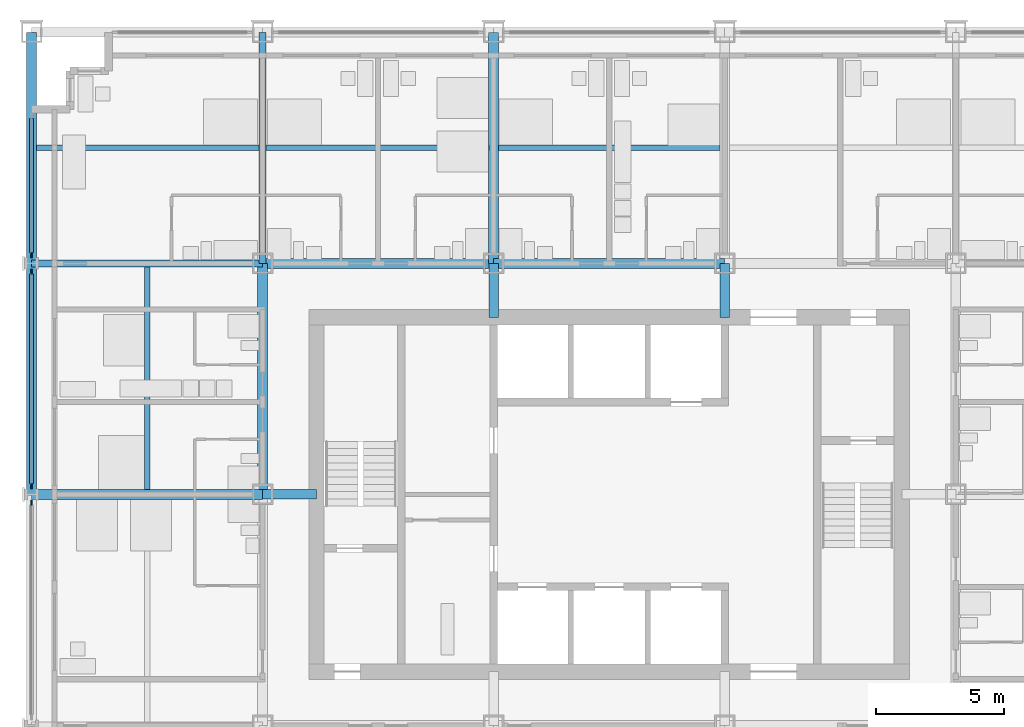
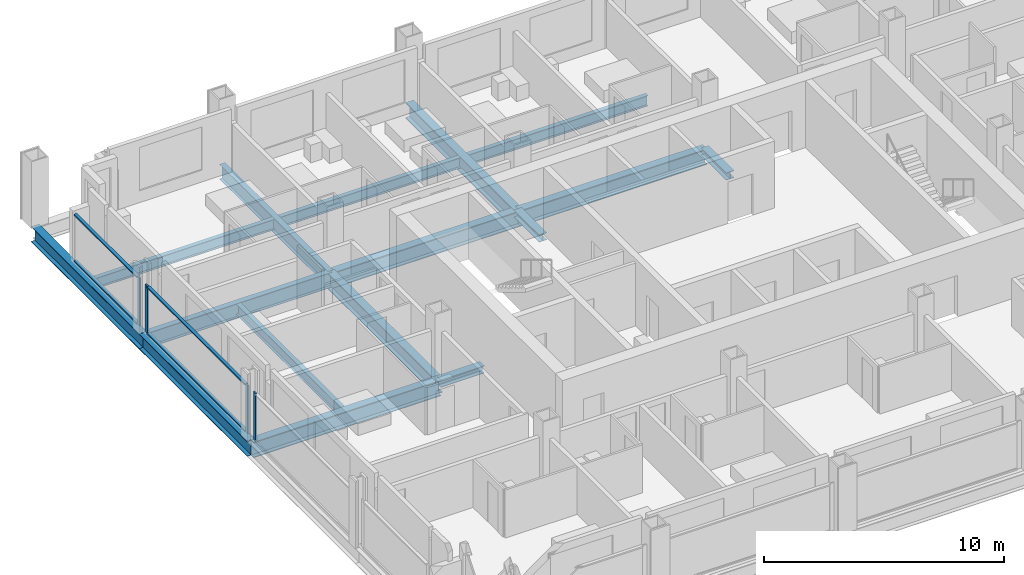
# One storey, part 4 of 17: 13 beams, 11 members, 3 elements without a shape of their own.
"""IFC4 building model written with IfcOpenShell, lengths in metres."""

from ifc_helpers import new_model, si_unit, direction, frame, origin, origin_2d, place, context, subcontext, project, spatial, rectangle, i_section, extrude, material, material_profile, profile_set, type_object, element, aggregate, save


model = new_model("IFC4")

# Units and contexts
model_context = context("Model", 3, precision=1e-05, world=origin(), true_north=direction((0.0, 1.0)))
body_context = subcontext(model_context, "Body", "Model", "MODEL_VIEW")
ifc_project = project(units=[si_unit("LENGTHUNIT", "METRE"), si_unit("AREAUNIT", "SQUARE_METRE"), si_unit("VOLUMEUNIT", "CUBIC_METRE"), si_unit("PLANEANGLEUNIT", "RADIAN"), si_unit("MASSUNIT", "GRAM", prefix="KILO")], contexts=[model_context])

# Site, building, storey
site_placement = place(None, origin())
site = spatial("IfcSite", under=ifc_project, at=site_placement, CompositionType="ELEMENT")
building_placement = place(site_placement, origin())
building = spatial("IfcBuilding", under=site, at=building_placement, Name="Loomwork Tower", CompositionType="ELEMENT")
storey_placement = place(building_placement, frame((0.0, 0.0, 141.800048828125)))
storey = spatial("IfcBuildingStorey", under=building, at=storey_placement, Name="L38", CompositionType="ELEMENT", Elevation=141.800048828125)

# Beams
ifc_material_1 = material(Name="Steel ASTM A992", Category="steel")
ifc_material_profile_1 = material_profile(ifc_material_1, i_section(OverallWidth=0.383544921875, OverallDepth=0.794921875, WebThickness=0.02099609375, FlangeThickness=0.0380859375, at=origin_2d()), Name="W30x235")
ifc_profile_set_1 = profile_set([ifc_material_profile_1], Name="Steel ASTM A992")
beam_type_1 = type_object("IfcBeamType", Name="CORE FLANK GIRDER W30x235", PredefinedType="BEAM", material=ifc_profile_set_1)
for number, where, z_axis, x_axis, name in (
    (1, (0.0, 18.0, -0.59765625), (1.0, 0.0, 0.0), (0.0, 1.0, 0.0), "Core Flank Girder F/2-F/3 L38"),
    (2, (9.0, 27.0, -0.59765625), (1.0, 0.0, 0.0), (0.0, 1.0, 0.0), "Core Flank Girder G/3-G/4 L38"),
    (3, (18.0, 27.0, -0.59765625), (1.0, 0.0, 0.0), (0.0, 1.0, 0.0), "Core Flank Girder G/4-G/5 L38"),
    (4, (9.0, 18.0, -0.59765625), (0.0, 1.0, 0.0), (-1.0, 0.0, 0.0), "Core Flank Girder F/3-G/3 L38"),
    (5, (18.0, 27.0, -0.59765625), (0.0, 1.0, 0.0), (-1.0, 0.0, 0.0), "Core Flank Girder G/4-H/4 L38"),
):
    element("IfcBeam", number, at=place(storey_placement, frame(where, z_axis=z_axis, x_axis=x_axis)), inside=storey, type_object=beam_type_1, Name=name, PredefinedType="BEAM", context=body_context, shape_type="SweptSolid", body=[
        extrude(i_section(OverallWidth=0.383544921875, OverallDepth=0.794921875, WebThickness=0.02099609375, FlangeThickness=0.0380859375, at=origin_2d()), origin(), (0.0, 0.0, 1.0), 9.0),
    ])

# Members
ifc_material_2 = material(Name="Steel ASTM A992", Category="steel")
ifc_material_profile_2 = material_profile(ifc_material_2, i_section(OverallWidth=0.373291015625, OverallDepth=0.373291015625, WebThickness=0.016357421875, FlangeThickness=0.026123046875, at=origin_2d()), Name="W14x132")
ifc_profile_set_2 = profile_set([ifc_material_profile_2], Name="Steel ASTM A992")
member_type_1 = type_object("IfcMemberType", Name="CORE LINK STRUT W14x132", PredefinedType="STRUT", material=ifc_profile_set_2)
for number, where, z_axis, x_axis, name in (
    (6, (27.0, 27.0, -0.38671875), (0.0, -1.0, 0.0), (1.0, 0.0, 0.0), "Core link strut G/5-27.000,24.900 L38"),
    (7, (18.0, 27.0, -0.38671875), (0.0, -1.0, 0.0), (1.0, 0.0, 0.0), "Core link strut G/4-18.000,24.900 L38"),
    (8, (9.0, 18.0, -0.38671875), (1.0, 0.0, 0.0), (0.0, 1.0, 0.0), "Core link strut F/3-11.100,18.000 L38"),
):
    element("IfcMember", number, at=place(storey_placement, frame(where, z_axis=z_axis, x_axis=x_axis)), inside=storey, type_object=member_type_1, Name=name, PredefinedType="STRUT", context=body_context, shape_type="SweptSolid", body=[
        extrude(i_section(OverallWidth=0.373291015625, OverallDepth=0.373291015625, WebThickness=0.016357421875, FlangeThickness=0.026123046875, at=origin_2d()), origin(), (0.0, 0.0, 1.0), 2.10009765625),
    ])

# Beams
ifc_material_3 = material(Name="Steel ASTM A992", Category="steel")
ifc_material_profile_3 = material_profile(ifc_material_3, i_section(OverallWidth=0.2666015625, OverallDepth=0.761962890625, WebThickness=0.014404296875, FlangeThickness=0.021484375, at=origin_2d()), Name="W30x116")
ifc_profile_set_3 = profile_set([ifc_material_profile_3], Name="Steel ASTM A992")
beam_type_2 = type_object("IfcBeamType", Name="FLOOR GIRDER W30x116", PredefinedType="BEAM", material=ifc_profile_set_3)
for number, where, z_axis, x_axis, name in (
    (9, (0.0, 27.0, -0.5810546875), (1.0, 0.0, 0.0), (0.0, 1.0, 0.0), "Floor Girder G/2-G/3 L38"),
    (10, (9.0, 27.0, -0.5810546875), (0.0, 1.0, 0.0), (-1.0, 0.0, 0.0), "Floor Girder G/3-H/3 L38"),
):
    element("IfcBeam", number, at=place(storey_placement, frame(where, z_axis=z_axis, x_axis=x_axis)), inside=storey, type_object=beam_type_2, Name=name, PredefinedType="BEAM", context=body_context, shape_type="SweptSolid", body=[
        extrude(i_section(OverallWidth=0.2666015625, OverallDepth=0.761962890625, WebThickness=0.014404296875, FlangeThickness=0.021484375, at=origin_2d()), origin(), (0.0, 0.0, 1.0), 9.0),
    ])
ifc_material_4 = material(Name="Steel ASTM A992", Category="steel")
ifc_material_profile_4 = material_profile(ifc_material_4, i_section(OverallWidth=0.2109375, OverallDepth=0.53857421875, WebThickness=0.011474609375, FlangeThickness=0.018798828125, at=origin_2d()), Name="W21x73")
ifc_profile_set_4 = profile_set([ifc_material_profile_4], Name="Steel ASTM A992")
beam_type_3 = type_object("IfcBeamType", Name="FLOOR JOIST W21x73", PredefinedType="JOIST", material=ifc_profile_set_4)
beam_1_placement = place(storey_placement, frame((4.5, 18.19091796875, -0.46923828125), z_axis=(0.0, 1.0, 0.0), x_axis=(-1.0, 0.0, 0.0)))
element("IfcBeam", 11, at=beam_1_placement, inside=storey, type_object=beam_type_3, Name="Floor Joist 4.500,18.000-4.500,27.000 L38", PredefinedType="JOIST", context=body_context, shape_type="SweptSolid", body=[
    extrude(i_section(OverallWidth=0.2109375, OverallDepth=0.53857421875, WebThickness=0.011474609375, FlangeThickness=0.018798828125, at=origin_2d()), origin(), (0.0, 0.0, 1.0), 8.676025390625),
])
beam_2_placement = place(storey_placement, frame((0.18994140625, 31.5, -0.46923828125), z_axis=(1.0, 0.0, 0.0), x_axis=(0.0, 1.0, 0.0)))
element("IfcBeam", 12, at=beam_2_placement, inside=storey, type_object=beam_type_3, Name="Floor Joist 0.000,31.500-9.000,31.500 L38", PredefinedType="JOIST", context=body_context, shape_type="SweptSolid", body=[
    extrude(i_section(OverallWidth=0.2109375, OverallDepth=0.53857421875, WebThickness=0.011474609375, FlangeThickness=0.018798828125, at=origin_2d()), origin(), (0.0, 0.0, 1.0), 8.677001953125),
])
beam_3_placement = place(storey_placement, frame((9.133056640625, 31.5, -0.46923828125), z_axis=(1.0, 0.0, 0.0), x_axis=(0.0, 1.0, 0.0)))
element("IfcBeam", 13, at=beam_3_placement, inside=storey, type_object=beam_type_3, Name="Floor Joist 9.000,31.500-18.000,31.500 L38", PredefinedType="JOIST", context=body_context, shape_type="SweptSolid", body=[
    extrude(i_section(OverallWidth=0.2109375, OverallDepth=0.53857421875, WebThickness=0.011474609375, FlangeThickness=0.018798828125, at=origin_2d()), origin(), (0.0, 0.0, 1.0), 8.676025390625),
])
beam_4_placement = place(storey_placement, frame((18.19091796875, 31.5, -0.46923828125), z_axis=(1.0, 0.0, 0.0), x_axis=(0.0, 1.0, 0.0)))
element("IfcBeam", 14, at=beam_4_placement, inside=storey, type_object=beam_type_3, Name="Floor Joist 18.000,31.500-27.000,31.500 L38", PredefinedType="JOIST", context=body_context, shape_type="SweptSolid", body=[
    extrude(i_section(OverallWidth=0.2109375, OverallDepth=0.53857421875, WebThickness=0.011474609375, FlangeThickness=0.018798828125, at=origin_2d()), origin(), (0.0, 0.0, 1.0), 8.6181640625),
])

# Curtain wall, member
ifc_material_5 = material(Name="Aluminium curtain wall frame", Category="aluminium")
curtain_wall_type = type_object("IfcCurtainWallType", Name="Outer skin glazing hotel", PredefinedType="NOTDEFINED", material=ifc_material_5)
curtain_wall_1_placement = place(storey_placement, origin())
curtain_wall_1 = element("IfcCurtainWall", 15, at=curtain_wall_1_placement, inside=storey, type_object=curtain_wall_type, Name="Outer skin glazing hotel cw/W-9", PredefinedType="NOTDEFINED")
ifc_material_6 = material(Name="Aluminium curtain wall frame", Category="aluminium")
ifc_material_profile_5 = material_profile(ifc_material_6, rectangle(XDim=0.06494140625, YDim=0.199951171875, at=origin_2d()), Name="AL 65x200")
ifc_profile_set_5 = profile_set([ifc_material_profile_5], Name="Aluminium curtain wall frame")
member_type_2 = type_object("IfcMemberType", Name="Outer skin glazing hotel mullion", PredefinedType="MULLION", material=ifc_profile_set_5)
member_1_placement = place(storey_placement, frame((0.0, 17.678955078125, 0.0), z_axis=(0.0, 0.0, 1.0), x_axis=(1.0, 0.0, 0.0)))
member_1 = element("IfcMember", 16, at=member_1_placement, type_object=member_type_2, Name="CW1 mullion 1", PredefinedType="MULLION", context=body_context, shape_type="SweptSolid", body=[
    extrude(rectangle(XDim=0.06494140625, YDim=0.199951171875, at=origin_2d()), origin(), (0.0, 0.0, 1.0), 2.420166015625),
])
aggregate(curtain_wall_1, [member_1])

# Curtain wall, members
curtain_wall_2_placement = place(storey_placement, origin())
curtain_wall_2 = element("IfcCurtainWall", 17, at=curtain_wall_2_placement, inside=storey, type_object=curtain_wall_type, Name="Outer skin glazing hotel cw/W-18", PredefinedType="NOTDEFINED")
member_2_placement = place(storey_placement, frame((0.0, 26.678955078125, 0.0), z_axis=(0.0, 0.0, 1.0), x_axis=(1.0, 0.0, 0.0)))
member_2 = element("IfcMember", 18, at=member_2_placement, type_object=member_type_2, Name="CW1 mullion 1", PredefinedType="MULLION", context=body_context, shape_type="SweptSolid", body=[
    extrude(rectangle(XDim=0.06494140625, YDim=0.199951171875, at=origin_2d()), origin(), (0.0, 0.0, 1.0), 2.420166015625),
])
member_3_placement = place(storey_placement, frame((0.0, 18.321044921875, 0.0), z_axis=(0.0, 0.0, 1.0), x_axis=(1.0, 0.0, 0.0)))
member_3 = element("IfcMember", 19, at=member_3_placement, type_object=member_type_2, Name="CW1 mullion 2", PredefinedType="MULLION", context=body_context, shape_type="SweptSolid", body=[
    extrude(rectangle(XDim=0.06494140625, YDim=0.199951171875, at=origin_2d()), origin(), (0.0, 0.0, 1.0), 2.420166015625),
])

# Curtain wall, member
curtain_wall_3_placement = place(storey_placement, origin())
curtain_wall_3 = element("IfcCurtainWall", 20, at=curtain_wall_3_placement, inside=storey, type_object=curtain_wall_type, Name="Outer skin glazing hotel cw/W-27", PredefinedType="NOTDEFINED")
member_4_placement = place(storey_placement, frame((0.0, 27.321044921875, 0.0), z_axis=(0.0, 0.0, 1.0), x_axis=(1.0, 0.0, 0.0)))
member_4 = element("IfcMember", 21, at=member_4_placement, type_object=member_type_2, Name="CW1 mullion 2", PredefinedType="MULLION", context=body_context, shape_type="SweptSolid", body=[
    extrude(rectangle(XDim=0.06494140625, YDim=0.199951171875, at=origin_2d()), origin(), (0.0, 0.0, 1.0), 2.420166015625),
])

# Member
ifc_material_7 = material(Name="Aluminium curtain wall frame", Category="aluminium")
ifc_material_profile_6 = material_profile(ifc_material_7, rectangle(XDim=0.14990234375, YDim=0.06494140625, at=origin_2d()), Name="AL 65x150")
ifc_profile_set_6 = profile_set([ifc_material_profile_6], Name="Aluminium curtain wall frame")
member_type_3 = type_object("IfcMemberType", Name="Outer skin glazing hotel transom", PredefinedType="USERDEFINED", material=ifc_profile_set_6)
member_5_placement = place(storey_placement, frame((0.0, 26.5791015625, 0.032470703125), z_axis=(0.0, -1.0, 0.0), x_axis=(1.0, 0.0, 0.0)))
member_5 = element("IfcMember", 22, at=member_5_placement, type_object=member_type_3, Name="CW1 transom 1.1", ObjectType="TRANSOM", PredefinedType="USERDEFINED", context=body_context, shape_type="SweptSolid", body=[
    extrude(rectangle(XDim=0.14990234375, YDim=0.06494140625, at=origin_2d()), origin(), (0.0, 0.0, 1.0), 8.158203125),
])

member_6_placement = place(storey_placement, frame((0.0, 26.5791015625, 2.3876953125), z_axis=(0.0, -1.0, 0.0), x_axis=(1.0, 0.0, 0.0)))
member_6 = element("IfcMember", 23, at=member_6_placement, type_object=member_type_3, Name="CW1 transom 1.2", ObjectType="TRANSOM", PredefinedType="USERDEFINED", context=body_context, shape_type="SweptSolid", body=[
    extrude(rectangle(XDim=0.14990234375, YDim=0.06494140625, at=origin_2d()), origin(), (0.0, 0.0, 1.0), 8.158203125),
])

aggregate(curtain_wall_2, [member_2, member_3, member_5, member_6])

member_7_placement = place(storey_placement, frame((0.0, 32.64990234375, 0.032470703125), z_axis=(0.0, -1.0, 0.0), x_axis=(1.0, 0.0, 0.0)))
member_7 = element("IfcMember", 24, at=member_7_placement, type_object=member_type_3, Name="CW1 transom 1.1", ObjectType="TRANSOM", PredefinedType="USERDEFINED", context=body_context, shape_type="SweptSolid", body=[
    extrude(rectangle(XDim=0.14990234375, YDim=0.06494140625, at=origin_2d()), origin(), (0.0, 0.0, 1.0), 5.22900390625),
])

member_8_placement = place(storey_placement, frame((0.0, 32.64990234375, 2.3876953125), z_axis=(0.0, -1.0, 0.0), x_axis=(1.0, 0.0, 0.0)))
member_8 = element("IfcMember", 25, at=member_8_placement, type_object=member_type_3, Name="CW1 transom 1.2", ObjectType="TRANSOM", PredefinedType="USERDEFINED", context=body_context, shape_type="SweptSolid", body=[
    extrude(rectangle(XDim=0.14990234375, YDim=0.06494140625, at=origin_2d()), origin(), (0.0, 0.0, 1.0), 5.22900390625),
])

aggregate(curtain_wall_3, [member_4, member_7, member_8])

# Beams
ifc_material_8 = material(Name="Steel ASTM A992", Category="steel")
ifc_material_profile_7 = material_profile(ifc_material_8, i_section(OverallWidth=0.381103515625, OverallDepth=0.77978515625, WebThickness=0.01806640625, FlangeThickness=0.0302734375, at=origin_2d()), Name="W30x191")
ifc_profile_set_7 = profile_set([ifc_material_profile_7], Name="Steel ASTM A992")
beam_type_4 = type_object("IfcBeamType", Name="SPANDREL GIRDER W30x191", PredefinedType="SPANDREL", material=ifc_profile_set_7)
for number, where, z_axis, x_axis, name in (
    (26, (0.0, 18.0, -0.58984375), (0.0, 1.0, 0.0), (-1.0, 0.0, 0.0), "Spandrel Girder F/2-G/2 L38"),
    (27, (0.0, 27.0, -0.58984375), (0.0, 1.0, 0.0), (-1.0, 0.0, 0.0), "Spandrel Girder G/2-H/2 L38"),
):
    element("IfcBeam", number, at=place(storey_placement, frame(where, z_axis=z_axis, x_axis=x_axis)), inside=storey, type_object=beam_type_4, Name=name, PredefinedType="SPANDREL", context=body_context, shape_type="SweptSolid", body=[
        extrude(i_section(OverallWidth=0.381103515625, OverallDepth=0.77978515625, WebThickness=0.01806640625, FlangeThickness=0.0302734375, at=origin_2d()), origin(), (0.0, 0.0, 1.0), 9.0),
    ])

save(model, "model.ifc")
